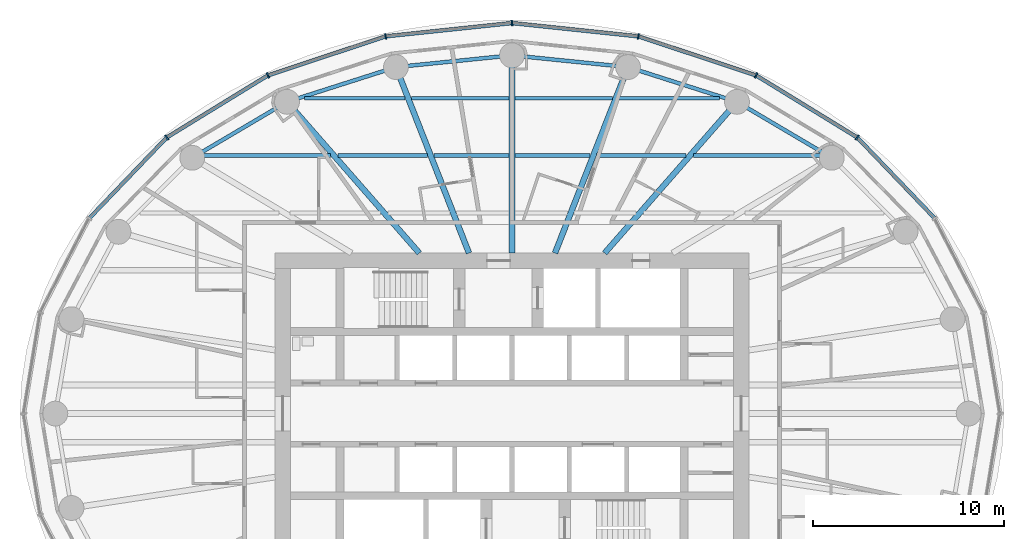
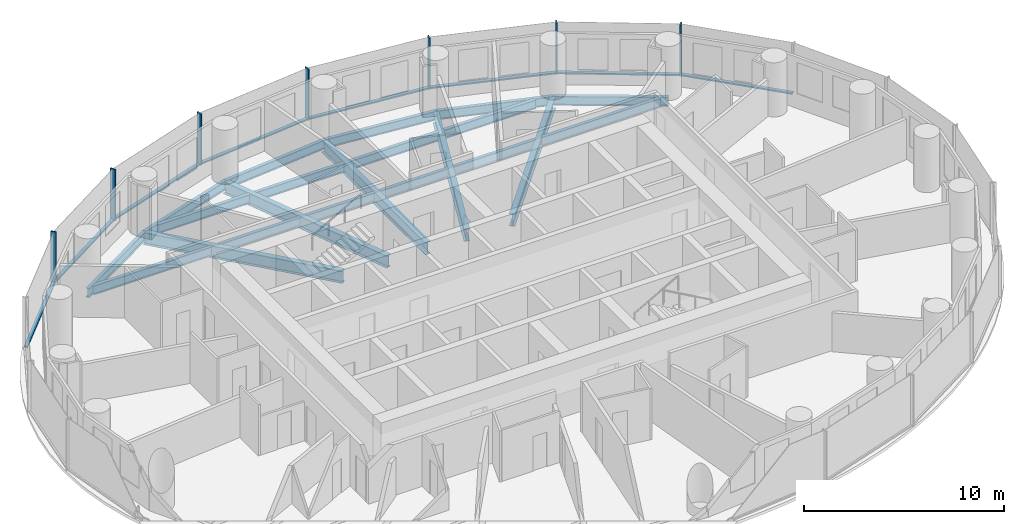
# One storey, part 4 of 14: 21 beams, 15 members, 2 elements without a shape of their own.
"""IFC4 building model written with IfcOpenShell, lengths in metres."""

from ifc_helpers import new_model, si_unit, direction, frame, origin, origin_2d, place, context, subcontext, project, spatial, rectangle, i_section, extrude, material, material_profile, profile_set, type_object, element, aggregate, save


model = new_model("IFC4")

# Units and contexts
model_context = context("Model", 3, precision=1e-05, world=origin(), true_north=direction((0.0, 1.0)))
body_context = subcontext(model_context, "Body", "Model", "MODEL_VIEW")
ifc_project = project(units=[si_unit("LENGTHUNIT", "METRE"), si_unit("AREAUNIT", "SQUARE_METRE"), si_unit("VOLUMEUNIT", "CUBIC_METRE"), si_unit("PLANEANGLEUNIT", "RADIAN"), si_unit("MASSUNIT", "GRAM", prefix="KILO")], contexts=[model_context])

# Site, building, storey
site_placement = place(None, origin())
site = spatial("IfcSite", under=ifc_project, at=site_placement, CompositionType="ELEMENT")
building_placement = place(site_placement, origin())
building = spatial("IfcBuilding", under=site, at=building_placement, Name="Hankou Lantern Tower", CompositionType="ELEMENT")
storey_placement = place(building_placement, frame((0.0, 0.0, 112.199951171875)))
storey = spatial("IfcBuildingStorey", under=building, at=storey_placement, Name="L28", CompositionType="ELEMENT", Elevation=112.199951171875)

# Beams
ifc_material_1 = material(Name="Steel Q355B", Category="steel")
ifc_material_profile_1 = material_profile(ifc_material_1, i_section(OverallWidth=0.199951171875, OverallDepth=0.550048828125, WebThickness=0.010009765625, FlangeThickness=0.01611328125, FilletRadius=0.012939453125, at=origin_2d()), Name="HN550x200x10x16")
ifc_profile_set_1 = profile_set([ifc_material_profile_1], Name="Steel Q355B")
beam_type_1 = type_object("IfcBeamType", Name="EB6 RING BEAM HN550x200x10x16", PredefinedType="SPANDREL", material=ifc_profile_set_1)
beam_1_placement = place(storey_placement, frame((16.73388671875, 13.38720703125, -0.454833984375), z_axis=(-0.860988974188, 0.508623619513, 0.0), x_axis=(-0.508623619513, -0.860988974188, 0.0)))
element("IfcBeam", 1, at=beam_1_placement, inside=storey, type_object=beam_type_1, Name="Ring beam R04-R05 L28", PredefinedType="SPANDREL", context=body_context, shape_type="SweptSolid", body=[
    extrude(i_section(OverallWidth=0.199951171875, OverallDepth=0.550048828125, WebThickness=0.010009765625, FlangeThickness=0.01611328125, FilletRadius=0.012939453125, at=origin_2d()), origin(), (0.0, 0.0, 1.0), 5.759033203125),
])
beam_2_placement = place(storey_placement, frame((11.775390625, 16.31640625, -0.454833984375), z_axis=(-0.952731090451, 0.303814860215, 0.0), x_axis=(-0.303814860215, -0.952731090451, 0.0)))
element("IfcBeam", 2, at=beam_2_placement, inside=storey, type_object=beam_type_1, Name="Ring beam R05-R06 L28", PredefinedType="SPANDREL", context=body_context, shape_type="SweptSolid", body=[
    extrude(i_section(OverallWidth=0.199951171875, OverallDepth=0.550048828125, WebThickness=0.010009765625, FlangeThickness=0.01611328125, FilletRadius=0.012939453125, at=origin_2d()), origin(), (0.0, 0.0, 1.0), 5.984375),
])
for number, where, z_axis, x_axis, name in (
    (3, (6.073974609375, 18.134521484375, -0.454833984375), (-0.994905271594, 0.100814188259, 0.0), (-0.100814188259, -0.994905271594, 0.0), "Ring beam R06-R07 L28"),
    (4, (0.0, 18.75, -0.454833984375), (-0.994905271594, -0.100814188259, 0.0), (0.100814188259, -0.994905271594, 0.0), "Ring beam R07-R08 L28"),
):
    element("IfcBeam", number, at=place(storey_placement, frame(where, z_axis=z_axis, x_axis=x_axis)), inside=storey, type_object=beam_type_1, Name=name, PredefinedType="SPANDREL", context=body_context, shape_type="SweptSolid", body=[
        extrude(i_section(OverallWidth=0.199951171875, OverallDepth=0.550048828125, WebThickness=0.010009765625, FlangeThickness=0.01611328125, FilletRadius=0.012939453125, at=origin_2d()), origin(), (0.0, 0.0, 1.0), 6.10498046875),
    ])
beam_3_placement = place(storey_placement, frame((-6.073974609375, 18.134521484375, -0.454833984375), z_axis=(-0.952731090451, -0.303814860215, 0.0), x_axis=(0.303814860215, -0.952731090451, 0.0)))
element("IfcBeam", 5, at=beam_3_placement, inside=storey, type_object=beam_type_1, Name="Ring beam R08-R09 L28", PredefinedType="SPANDREL", context=body_context, shape_type="SweptSolid", body=[
    extrude(i_section(OverallWidth=0.199951171875, OverallDepth=0.550048828125, WebThickness=0.010009765625, FlangeThickness=0.01611328125, FilletRadius=0.012939453125, at=origin_2d()), origin(), (0.0, 0.0, 1.0), 5.984375),
])
beam_4_placement = place(storey_placement, frame((-11.775390625, 16.31640625, -0.454833984375), z_axis=(-0.860988974188, -0.508623619513, 0.0), x_axis=(0.508623619513, -0.860988974188, 0.0)))
element("IfcBeam", 6, at=beam_4_placement, inside=storey, type_object=beam_type_1, Name="Ring beam R09-R10 L28", PredefinedType="SPANDREL", context=body_context, shape_type="SweptSolid", body=[
    extrude(i_section(OverallWidth=0.199951171875, OverallDepth=0.550048828125, WebThickness=0.010009765625, FlangeThickness=0.01611328125, FilletRadius=0.012939453125, at=origin_2d()), origin(), (0.0, 0.0, 1.0), 5.759033203125),
])

# Curtain wall, members
ifc_material_2 = material(Name="Glass, dark grey tinted laminated", Category="glass")
curtain_wall_type = type_object("IfcCurtainWallType", Name="CWB OUTER SKIN MID-RISE", PredefinedType="USERDEFINED", material=ifc_material_2)
curtain_wall_1_placement = place(storey_placement, origin())
curtain_wall_1 = element("IfcCurtainWall", 7, at=curtain_wall_1_placement, inside=storey, type_object=curtain_wall_type, Name="CWB L28 OS1", ObjectType="OUTER SKIN MID-RISE", PredefinedType="USERDEFINED")
ifc_material_3 = material(Name="Aluminium, black anodised", Category="aluminium")
ifc_material_profile_2 = material_profile(ifc_material_3, rectangle(XDim=0.080078125, YDim=0.300048828125, at=origin_2d()), Name="MU1 80X300")
ifc_profile_set_2 = profile_set([ifc_material_profile_2], Name="Aluminium, black anodised")
member_type_1 = type_object("IfcMemberType", Name="MU1 OUTER SKIN MULLION 80X300", PredefinedType="MULLION", material=ifc_profile_set_2)
member_1_placement = place(storey_placement, frame((18.066650390625, 14.453369140625, 0.0), z_axis=(0.0, 0.0, 1.0), x_axis=(-0.780868809444, 0.624695047553, 0.0)))
member_1 = element("IfcMember", 8, at=member_1_placement, type_object=member_type_1, Name="CWB mullion 4", PredefinedType="MULLION", context=body_context, shape_type="SweptSolid", body=[
    extrude(rectangle(XDim=0.080078125, YDim=0.300048828125, at=origin_2d()), origin(), (0.0, 0.0, 1.0), 3.1201171875),
])
member_2_placement = place(storey_placement, frame((12.77490234375, 17.70166015625, 0.0), z_axis=(0.0, 0.0, 1.0), x_axis=(-0.907841299004, 0.419313934686, 0.0)))
member_2 = element("IfcMember", 9, at=member_2_placement, type_object=member_type_1, Name="CWB mullion 5", PredefinedType="MULLION", context=body_context, shape_type="SweptSolid", body=[
    extrude(rectangle(XDim=0.080078125, YDim=0.300048828125, at=origin_2d()), origin(), (0.0, 0.0, 1.0), 3.1201171875),
])
member_3_placement = place(storey_placement, frame((6.61279296875, 19.743408203125, 0.0), z_axis=(0.0, 0.0, 1.0), x_axis=(-0.977787659625, 0.209597931016, 0.0)))
member_3 = element("IfcMember", 10, at=member_3_placement, type_object=member_type_1, Name="CWB mullion 6", PredefinedType="MULLION", context=body_context, shape_type="SweptSolid", body=[
    extrude(rectangle(XDim=0.080078125, YDim=0.300048828125, at=origin_2d()), origin(), (0.0, 0.0, 1.0), 3.1201171875),
])

curtain_wall_2_placement = place(storey_placement, origin())
curtain_wall_2 = element("IfcCurtainWall", 11, at=curtain_wall_2_placement, inside=storey, type_object=curtain_wall_type, Name="CWB L28 OS2", ObjectType="OUTER SKIN MID-RISE", PredefinedType="USERDEFINED")
member_4_placement = place(storey_placement, frame((0.0, 20.43994140625, 0.0), z_axis=(0.0, 0.0, 1.0), x_axis=(-0.994499359107, -0.104742659579, 0.0)))
member_4 = element("IfcMember", 12, at=member_4_placement, type_object=member_type_1, Name="CWB mullion 1", PredefinedType="MULLION", context=body_context, shape_type="SweptSolid", body=[
    extrude(rectangle(XDim=0.080078125, YDim=0.300048828125, at=origin_2d()), origin(), (0.0, 0.0, 1.0), 3.1201171875),
])
member_5_placement = place(storey_placement, frame((-6.61279296875, 19.743408203125, 0.0), z_axis=(0.0, 0.0, 1.0), x_axis=(-0.977787659625, -0.209597931016, 0.0)))
member_5 = element("IfcMember", 13, at=member_5_placement, type_object=member_type_1, Name="CWB mullion 2", PredefinedType="MULLION", context=body_context, shape_type="SweptSolid", body=[
    extrude(rectangle(XDim=0.080078125, YDim=0.300048828125, at=origin_2d()), origin(), (0.0, 0.0, 1.0), 3.1201171875),
])
member_6_placement = place(storey_placement, frame((-12.77490234375, 17.70166015625, 0.0), z_axis=(0.0, 0.0, 1.0), x_axis=(-0.907841299004, -0.419313934686, 0.0)))
member_6 = element("IfcMember", 14, at=member_6_placement, type_object=member_type_1, Name="CWB mullion 3", PredefinedType="MULLION", context=body_context, shape_type="SweptSolid", body=[
    extrude(rectangle(XDim=0.080078125, YDim=0.300048828125, at=origin_2d()), origin(), (0.0, 0.0, 1.0), 3.1201171875),
])
member_7_placement = place(storey_placement, frame((-18.066650390625, 14.453369140625, 0.0), z_axis=(0.0, 0.0, 1.0), x_axis=(-0.780868809444, -0.624695047553, 0.0)))
member_7 = element("IfcMember", 15, at=member_7_placement, type_object=member_type_1, Name="CWB mullion 4", PredefinedType="MULLION", context=body_context, shape_type="SweptSolid", body=[
    extrude(rectangle(XDim=0.080078125, YDim=0.300048828125, at=origin_2d()), origin(), (0.0, 0.0, 1.0), 3.1201171875),
])

# Beams
ifc_material_4 = material(Name="Steel Q355B", Category="steel")
ifc_material_profile_3 = material_profile(ifc_material_4, i_section(OverallWidth=0.300048828125, OverallDepth=0.75, WebThickness=0.012939453125, FlangeThickness=0.02392578125, FilletRadius=0.01806640625, at=origin_2d()), Name="HN750x300x13x24")
ifc_profile_set_3 = profile_set([ifc_material_profile_3], Name="Steel Q355B")
beam_type_2 = type_object("IfcBeamType", Name="RB10 RADIAL BEAM HN750x300x13x24", PredefinedType="BEAM", material=ifc_profile_set_3)
beam_5_placement = place(storey_placement, frame((4.849853515625, 8.39990234375, -0.554931640625), z_axis=(0.658429014446, 0.752642832249, 0.0), x_axis=(-0.752642832249, 0.658429014446, 0.0)))
element("IfcBeam", 16, at=beam_5_placement, inside=storey, type_object=beam_type_2, Name="Radial beam R05 L28", PredefinedType="BEAM", context=body_context, shape_type="SweptSolid", body=[
    extrude(i_section(OverallWidth=0.300048828125, OverallDepth=0.75, WebThickness=0.012939453125, FlangeThickness=0.02392578125, FilletRadius=0.01806640625, at=origin_2d()), origin(), (0.0, 0.0, 1.0), 10.518310546875),
])
beam_6_placement = place(storey_placement, frame((2.250732421875, 8.39990234375, -0.554931640625), z_axis=(0.365563535437, 0.930786388791, 0.0), x_axis=(-0.930786388791, 0.365563535437, 0.0)))
element("IfcBeam", 17, at=beam_6_placement, inside=storey, type_object=beam_type_2, Name="Radial beam R06 L28", PredefinedType="BEAM", context=body_context, shape_type="SweptSolid", body=[
    extrude(i_section(OverallWidth=0.300048828125, OverallDepth=0.75, WebThickness=0.012939453125, FlangeThickness=0.02392578125, FilletRadius=0.01806640625, at=origin_2d()), origin(), (0.0, 0.0, 1.0), 10.45849609375),
])
beam_7_placement = place(storey_placement, frame((0.0, 8.39990234375, -0.554931640625), z_axis=(0.0, 1.0, 0.0), x_axis=(-1.0, 0.0, 0.0)))
element("IfcBeam", 18, at=beam_7_placement, inside=storey, type_object=beam_type_2, Name="Radial beam R07 L28", PredefinedType="BEAM", context=body_context, shape_type="SweptSolid", body=[
    extrude(i_section(OverallWidth=0.300048828125, OverallDepth=0.75, WebThickness=0.012939453125, FlangeThickness=0.02392578125, FilletRadius=0.01806640625, at=origin_2d()), origin(), (0.0, 0.0, 1.0), 10.35009765625),
])
beam_8_placement = place(storey_placement, frame((-2.250732421875, 8.39990234375, -0.554931640625), z_axis=(-0.365563535437, 0.930786388791, 0.0), x_axis=(-0.930786388791, -0.365563535437, 0.0)))
element("IfcBeam", 19, at=beam_8_placement, inside=storey, type_object=beam_type_2, Name="Radial beam R08 L28", PredefinedType="BEAM", context=body_context, shape_type="SweptSolid", body=[
    extrude(i_section(OverallWidth=0.300048828125, OverallDepth=0.75, WebThickness=0.012939453125, FlangeThickness=0.02392578125, FilletRadius=0.01806640625, at=origin_2d()), origin(), (0.0, 0.0, 1.0), 10.45849609375),
])
beam_9_placement = place(storey_placement, frame((-4.849853515625, 8.39990234375, -0.554931640625), z_axis=(-0.658429014446, 0.752642832249, 0.0), x_axis=(-0.752642832249, -0.658429014446, 0.0)))
element("IfcBeam", 20, at=beam_9_placement, inside=storey, type_object=beam_type_2, Name="Radial beam R09 L28", PredefinedType="BEAM", context=body_context, shape_type="SweptSolid", body=[
    extrude(i_section(OverallWidth=0.300048828125, OverallDepth=0.75, WebThickness=0.012939453125, FlangeThickness=0.02392578125, FilletRadius=0.01806640625, at=origin_2d()), origin(), (0.0, 0.0, 1.0), 10.518310546875),
])
ifc_material_5 = material(Name="Steel Q355B", Category="steel")
ifc_material_profile_4 = material_profile(ifc_material_5, i_section(OverallWidth=0.199951171875, OverallDepth=0.550048828125, WebThickness=0.010009765625, FlangeThickness=0.01611328125, FilletRadius=0.012939453125, at=origin_2d()), Name="HN550x200x10x16")
ifc_profile_set_4 = profile_set([ifc_material_profile_4], Name="Steel Q355B")
beam_type_3 = type_object("IfcBeamType", Name="SB6 SECONDARY BEAM HN550x200x10x16", PredefinedType="JOIST", material=ifc_profile_set_4)
beam_10_placement = place(storey_placement, frame((-16.34619140625, 13.5, -0.454833984375), z_axis=(1.0, 0.0, 0.0), x_axis=(0.0, 1.0, 0.0)))
element("IfcBeam", 21, at=beam_10_placement, inside=storey, type_object=beam_type_3, Name="Floor joist J043 L28", PredefinedType="JOIST", context=body_context, shape_type="SweptSolid", body=[
    extrude(i_section(OverallWidth=0.199951171875, OverallDepth=0.550048828125, WebThickness=0.010009765625, FlangeThickness=0.01611328125, FilletRadius=0.012939453125, at=origin_2d()), origin(), (0.0, 0.0, 1.0), 6.83544921875),
])
beam_11_placement = place(storey_placement, frame((-9.112060546875, 13.5, -0.454833984375), z_axis=(1.0, 0.0, 0.0), x_axis=(0.0, 1.0, 0.0)))
element("IfcBeam", 22, at=beam_11_placement, inside=storey, type_object=beam_type_3, Name="Floor joist J044 L28", PredefinedType="JOIST", context=body_context, shape_type="SweptSolid", body=[
    extrude(i_section(OverallWidth=0.199951171875, OverallDepth=0.550048828125, WebThickness=0.010009765625, FlangeThickness=0.01611328125, FilletRadius=0.012939453125, at=origin_2d()), origin(), (0.0, 0.0, 1.0), 4.697021484375),
])
for number, where, z_axis, x_axis, name in (
    (23, (-4.092529296875, 13.5, -0.454833984375), (1.0, 0.0, 0.0), (0.0, 1.0, 0.0), "Floor joist J045 L28"),
    (24, (0.14990234375, 13.5, -0.454833984375), (1.0, 0.0, 0.0), (0.0, 1.0, 0.0), "Floor joist J046 L28"),
):
    element("IfcBeam", number, at=place(storey_placement, frame(where, z_axis=z_axis, x_axis=x_axis)), inside=storey, type_object=beam_type_3, Name=name, PredefinedType="JOIST", context=body_context, shape_type="SweptSolid", body=[
        extrude(i_section(OverallWidth=0.199951171875, OverallDepth=0.550048828125, WebThickness=0.010009765625, FlangeThickness=0.01611328125, FilletRadius=0.012939453125, at=origin_2d()), origin(), (0.0, 0.0, 1.0), 3.942626953125),
    ])
beam_12_placement = place(storey_placement, frame((4.4150390625, 13.5, -0.454833984375), z_axis=(1.0, 0.0, 0.0), x_axis=(0.0, 1.0, 0.0)))
element("IfcBeam", 25, at=beam_12_placement, inside=storey, type_object=beam_type_3, Name="Floor joist J047 L28", PredefinedType="JOIST", context=body_context, shape_type="SweptSolid", body=[
    extrude(i_section(OverallWidth=0.199951171875, OverallDepth=0.550048828125, WebThickness=0.010009765625, FlangeThickness=0.01611328125, FilletRadius=0.012939453125, at=origin_2d()), origin(), (0.0, 0.0, 1.0), 4.697021484375),
])
beam_13_placement = place(storey_placement, frame((9.5107421875, 13.5, -0.454833984375), z_axis=(1.0, 0.0, 0.0), x_axis=(0.0, 1.0, 0.0)))
element("IfcBeam", 26, at=beam_13_placement, inside=storey, type_object=beam_type_3, Name="Floor joist J048 L28", PredefinedType="JOIST", context=body_context, shape_type="SweptSolid", body=[
    extrude(i_section(OverallWidth=0.199951171875, OverallDepth=0.550048828125, WebThickness=0.010009765625, FlangeThickness=0.01611328125, FilletRadius=0.012939453125, at=origin_2d()), origin(), (0.0, 0.0, 1.0), 6.83544921875),
])
beam_14_placement = place(storey_placement, frame((-10.8701171875, 16.5, -0.454833984375), z_axis=(1.0, 0.0, 0.0), x_axis=(0.0, 1.0, 0.0)))
element("IfcBeam", 27, at=beam_14_placement, inside=storey, type_object=beam_type_3, Name="Floor joist J049 L28", PredefinedType="JOIST", context=body_context, shape_type="SweptSolid", body=[
    extrude(i_section(OverallWidth=0.199951171875, OverallDepth=0.550048828125, WebThickness=0.010009765625, FlangeThickness=0.01611328125, FilletRadius=0.012939453125, at=origin_2d()), origin(), (0.0, 0.0, 1.0), 5.27685546875),
])
for number, where, z_axis, x_axis, name in (
    (28, (-5.270751953125, 16.5, -0.454833984375), (1.0, 0.0, 0.0), (0.0, 1.0, 0.0), "Floor joist J050 L28"),
    (29, (0.14990234375, 16.5, -0.454833984375), (1.0, 0.0, 0.0), (0.0, 1.0, 0.0), "Floor joist J051 L28"),
):
    element("IfcBeam", number, at=place(storey_placement, frame(where, z_axis=z_axis, x_axis=x_axis)), inside=storey, type_object=beam_type_3, Name=name, PredefinedType="JOIST", context=body_context, shape_type="SweptSolid", body=[
        extrude(i_section(OverallWidth=0.199951171875, OverallDepth=0.550048828125, WebThickness=0.010009765625, FlangeThickness=0.01611328125, FilletRadius=0.012939453125, at=origin_2d()), origin(), (0.0, 0.0, 1.0), 5.120849609375),
    ])
beam_15_placement = place(storey_placement, frame((5.59326171875, 16.5, -0.454833984375), z_axis=(1.0, 0.0, 0.0), x_axis=(0.0, 1.0, 0.0)))
element("IfcBeam", 30, at=beam_15_placement, inside=storey, type_object=beam_type_3, Name="Floor joist J052 L28", PredefinedType="JOIST", context=body_context, shape_type="SweptSolid", body=[
    extrude(i_section(OverallWidth=0.199951171875, OverallDepth=0.550048828125, WebThickness=0.010009765625, FlangeThickness=0.01611328125, FilletRadius=0.012939453125, at=origin_2d()), origin(), (0.0, 0.0, 1.0), 5.27685546875),
])

# Member
ifc_material_6 = material(Name="Aluminium, black anodised", Category="aluminium")
ifc_material_profile_5 = material_profile(ifc_material_6, rectangle(XDim=0.199951171875, YDim=0.080078125, at=origin_2d()), Name="TR1 200X80")
ifc_profile_set_5 = profile_set([ifc_material_profile_5], Name="Aluminium, black anodised")
member_type_2 = type_object("IfcMemberType", Name="TR1 OUTER SKIN TRANSOM 200X80", PredefinedType="USERDEFINED", material=ifc_profile_set_5)
member_8_placement = place(storey_placement, frame((22.099365234375, 10.248779296875, 0.0400390625), z_axis=(-0.692226977748, 0.721679853729, 0.0), x_axis=(-0.721679853729, -0.692226977748, 0.0)))
member_8 = element("IfcMember", 31, at=member_8_placement, type_object=member_type_2, Name="CWB transom 3", ObjectType="TRANSOM", PredefinedType="USERDEFINED", context=body_context, shape_type="SweptSolid", body=[
    extrude(rectangle(XDim=0.199951171875, YDim=0.080078125, at=origin_2d()), origin(), (0.0, 0.0, 1.0), 5.785888671875),
])

member_9_placement = place(storey_placement, frame((18.032470703125, 14.47412109375, 0.0400390625), z_axis=(-0.852229492169, 0.523168130411, 0.0), x_axis=(-0.523168130411, -0.852229492169, 0.0)))
member_9 = element("IfcMember", 32, at=member_9_placement, type_object=member_type_2, Name="CWB transom 4", ObjectType="TRANSOM", PredefinedType="USERDEFINED", context=body_context, shape_type="SweptSolid", body=[
    extrude(rectangle(XDim=0.199951171875, YDim=0.080078125, at=origin_2d()), origin(), (0.0, 0.0, 1.0), 6.129150390625),
])

member_10_placement = place(storey_placement, frame((12.737060546875, 17.714111328125, 0.0400390625), z_axis=(-0.949237765745, 0.314559476225, 0.0), x_axis=(-0.314559476225, -0.949237765745, 0.0)))
member_10 = element("IfcMember", 33, at=member_10_placement, type_object=member_type_2, Name="CWB transom 5", ObjectType="TRANSOM", PredefinedType="USERDEFINED", context=body_context, shape_type="SweptSolid", body=[
    extrude(rectangle(XDim=0.199951171875, YDim=0.080078125, at=origin_2d()), origin(), (0.0, 0.0, 1.0), 6.41162109375),
])

member_11_placement = place(storey_placement, frame((6.572998046875, 19.747802734375, 0.0400390625), z_axis=(-0.994500972001, 0.10472734451, 0.0), x_axis=(-0.10472734451, -0.994500972001, 0.0)))
member_11 = element("IfcMember", 34, at=member_11_placement, type_object=member_type_2, Name="CWB transom 6", ObjectType="TRANSOM", PredefinedType="USERDEFINED", context=body_context, shape_type="SweptSolid", body=[
    extrude(rectangle(XDim=0.199951171875, YDim=0.080078125, at=origin_2d()), origin(), (0.0, 0.0, 1.0), 6.5693359375),
])

aggregate(curtain_wall_1, [member_1, member_2, member_3, member_8, member_9, member_10, member_11])

member_12_placement = place(storey_placement, frame((-0.039794921875, 20.435791015625, 0.0400390625), z_axis=(-0.994500972001, -0.10472734451, 0.0), x_axis=(0.10472734451, -0.994500972001, 0.0)))
member_12 = element("IfcMember", 35, at=member_12_placement, type_object=member_type_2, Name="CWB transom 1", ObjectType="TRANSOM", PredefinedType="USERDEFINED", context=body_context, shape_type="SweptSolid", body=[
    extrude(rectangle(XDim=0.199951171875, YDim=0.080078125, at=origin_2d()), origin(), (0.0, 0.0, 1.0), 6.5693359375),
])

member_13_placement = place(storey_placement, frame((-6.65087890625, 19.73095703125, 0.0400390625), z_axis=(-0.949237765745, -0.314559476225, 0.0), x_axis=(0.314559476225, -0.949237765745, 0.0)))
member_13 = element("IfcMember", 36, at=member_13_placement, type_object=member_type_2, Name="CWB transom 2", ObjectType="TRANSOM", PredefinedType="USERDEFINED", context=body_context, shape_type="SweptSolid", body=[
    extrude(rectangle(XDim=0.199951171875, YDim=0.080078125, at=origin_2d()), origin(), (0.0, 0.0, 1.0), 6.41162109375),
])

member_14_placement = place(storey_placement, frame((-12.80908203125, 17.6806640625, 0.0400390625), z_axis=(-0.852229492169, -0.523168130411, 0.0), x_axis=(0.523168130411, -0.852229492169, 0.0)))
member_14 = element("IfcMember", 37, at=member_14_placement, type_object=member_type_2, Name="CWB transom 3", ObjectType="TRANSOM", PredefinedType="USERDEFINED", context=body_context, shape_type="SweptSolid", body=[
    extrude(rectangle(XDim=0.199951171875, YDim=0.080078125, at=origin_2d()), origin(), (0.0, 0.0, 1.0), 6.129150390625),
])

member_15_placement = place(storey_placement, frame((-18.09423828125, 14.42431640625, 0.0400390625), z_axis=(-0.692226977748, -0.721679853729, 0.0), x_axis=(0.721679853729, -0.692226977748, 0.0)))
member_15 = element("IfcMember", 38, at=member_15_placement, type_object=member_type_2, Name="CWB transom 4", ObjectType="TRANSOM", PredefinedType="USERDEFINED", context=body_context, shape_type="SweptSolid", body=[
    extrude(rectangle(XDim=0.199951171875, YDim=0.080078125, at=origin_2d()), origin(), (0.0, 0.0, 1.0), 5.785888671875),
])

aggregate(curtain_wall_2, [member_4, member_5, member_6, member_7, member_12, member_13, member_14, member_15])

save(model, "model.ifc")
